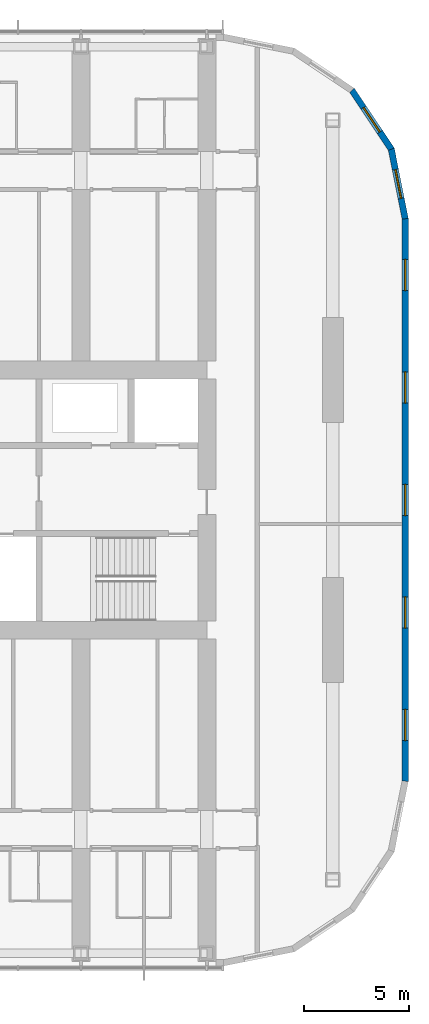
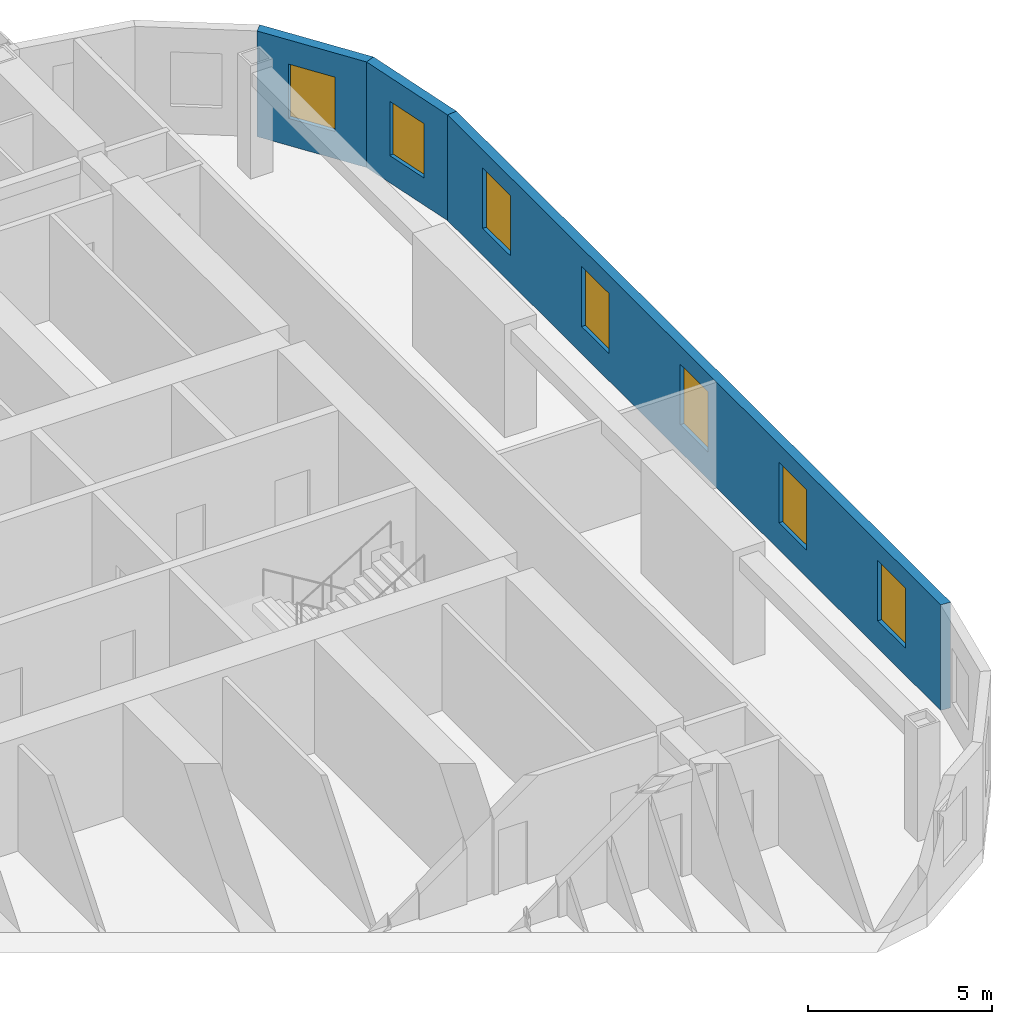
# One storey, part 20 of 27: 7 windows, 3 walls, 7 openings.
"""IFC4 building model written with IfcOpenShell, lengths in metres."""

from ifc_helpers import new_model, si_unit, direction, frame, frame_2d, origin, place, context, subcontext, project, spatial, polyline, rectangle, outline, extrude, material, layer, layer_set, type_object, element, fill, save


model = new_model("IFC4")

# Units and contexts
model_context = context("Model", 3, precision=1e-05, world=origin(), true_north=direction((0.0, 1.0)))
body_context = subcontext(model_context, "Body", "Model", "MODEL_VIEW")
ifc_project = project(units=[si_unit("LENGTHUNIT", "METRE"), si_unit("AREAUNIT", "SQUARE_METRE"), si_unit("VOLUMEUNIT", "CUBIC_METRE"), si_unit("PLANEANGLEUNIT", "RADIAN"), si_unit("MASSUNIT", "GRAM", prefix="KILO")], contexts=[model_context])

# Site, building, storey
site_placement = place(None, origin())
site = spatial("IfcSite", under=ifc_project, at=site_placement, CompositionType="ELEMENT")
building_placement = place(site_placement, origin())
building = spatial("IfcBuilding", under=site, at=building_placement, Name="Orbita Commons", CompositionType="ELEMENT")
storey_placement = place(building_placement, frame((0.0, 0.0, 178.60009765625)))
storey = spatial("IfcBuildingStorey", under=building, at=storey_placement, Name="L44", CompositionType="ELEMENT", Elevation=178.60009765625)

# Wall, openings, windows
ifc_material_1 = material(Name="Precast concrete C40/50, white board-marked finish", Category="concrete")
ifc_layer = layer(ifc_material_1, 0.300048828125)
ifc_layer_set = layer_set([ifc_layer], Name="Precast concrete C40/50, white board-marked finish")
wall_type = type_object("IfcWallType", Name="Precast concrete end shield 300", PredefinedType="SOLIDWALL", material=ifc_layer_set)
wall_1_placement = place(storey_placement, frame((75.449951171875, 18.60009765625, 0.0), z_axis=(0.0, 0.0, 1.0), x_axis=(0.0, 1.0, 0.0)))
wall_1 = element("IfcWall", 1, at=wall_1_placement, inside=storey, type_object=wall_type, Name="End shield E L44", PredefinedType="SOLIDWALL", context=body_context, shape_type="SweptSolid", body=[
    extrude(outline(polyline([(-0.014892578125, -0.14990234375), (26.814697265625, -0.14990234375), (26.784912109375, 0.14990234375), (0.014892578125, 0.14990234375), (-0.014892578125, -0.14990234375)])), origin(), (0.0, 0.0, 1.0), 3.5),
])
opening_1_placement = place(wall_1_placement, frame((1.929931640625, 0.0, 0.89990234375)))
opening_1 = element("IfcOpeningElement", 2, at=opening_1_placement, cuts=wall_1, Name="Opening W01", PredefinedType="OPENING", context=body_context, shape_type="SweptSolid", body=[
    extrude(rectangle(XDim=1.5, YDim=2.0, at=frame_2d((0.75, 1.0))), frame((0.0, 0.159912109375, 0.0), z_axis=(0.0, -1.0, 0.0), x_axis=(1.0, 0.0, 0.0)), (0.0, 0.0, 1.0), 0.320068359375),
])
opening_2_placement = place(wall_1_placement, frame((7.2900390625, 0.0, 0.89990234375)))
opening_2 = element("IfcOpeningElement", 3, at=opening_2_placement, cuts=wall_1, Name="Opening W01", PredefinedType="OPENING", context=body_context, shape_type="SweptSolid", body=[
    extrude(rectangle(XDim=1.5, YDim=2.0, at=frame_2d((0.75, 1.0))), frame((0.0, 0.159912109375, 0.0), z_axis=(0.0, -1.0, 0.0), x_axis=(1.0, 0.0, 0.0)), (0.0, 0.0, 1.0), 0.320068359375),
])
opening_3_placement = place(wall_1_placement, frame((12.64990234375, 0.0, 0.89990234375)))
opening_3 = element("IfcOpeningElement", 4, at=opening_3_placement, cuts=wall_1, Name="Opening W01", PredefinedType="OPENING", context=body_context, shape_type="SweptSolid", body=[
    extrude(rectangle(XDim=1.5, YDim=2.0, at=frame_2d((0.75, 1.0))), frame((0.0, 0.159912109375, 0.0), z_axis=(0.0, -1.0, 0.0), x_axis=(1.0, 0.0, 0.0)), (0.0, 0.0, 1.0), 0.320068359375),
])
opening_4_placement = place(wall_1_placement, frame((18.010009765625, 0.0, 0.89990234375)))
opening_4 = element("IfcOpeningElement", 5, at=opening_4_placement, cuts=wall_1, Name="Opening W01", PredefinedType="OPENING", context=body_context, shape_type="SweptSolid", body=[
    extrude(rectangle(XDim=1.5, YDim=2.0, at=frame_2d((0.75, 1.0))), frame((0.0, 0.159912109375, 0.0), z_axis=(0.0, -1.0, 0.0), x_axis=(1.0, 0.0, 0.0)), (0.0, 0.0, 1.0), 0.320068359375),
])
opening_5_placement = place(wall_1_placement, frame((23.3701171875, 0.0, 0.89990234375)))
opening_5 = element("IfcOpeningElement", 6, at=opening_5_placement, cuts=wall_1, Name="Opening W01", PredefinedType="OPENING", context=body_context, shape_type="SweptSolid", body=[
    extrude(rectangle(XDim=1.5, YDim=2.0, at=frame_2d((0.75, 1.0))), frame((0.0, 0.159912109375, 0.0), z_axis=(0.0, -1.0, 0.0), x_axis=(1.0, 0.0, 0.0)), (0.0, 0.0, 1.0), 0.320068359375),
])
ifc_material_2 = material(Name="Aluminium frame, clear double glazing", Category="aluminium")
window_type_1 = type_object("IfcWindowType", Name="Deep-set window 1500x2000", PartitioningType="SINGLE_PANEL", PredefinedType="WINDOW", material=ifc_material_2)
window_1_placement = place(opening_1_placement, origin())
window_1 = element("IfcWindow", 7, at=window_1_placement, inside=storey, type_object=window_type_1, Name="Window L44-E 1", OverallHeight=2.0, OverallWidth=1.5, PartitioningType="SINGLE_PANEL", PredefinedType="WINDOW", context=body_context, shape_type="SweptSolid", body=[
    extrude(rectangle(XDim=1.5, YDim=2.0, at=frame_2d((0.75, 1.0))), frame((0.0, 0.030029296875, 0.0), z_axis=(0.0, -1.0, 0.0), x_axis=(1.0, 0.0, 0.0)), (0.0, 0.0, 1.0), 0.06005859375),
])
fill(opening_1, window_1)
window_2_placement = place(opening_2_placement, origin())
window_2 = element("IfcWindow", 8, at=window_2_placement, inside=storey, type_object=window_type_1, Name="Window L44-E 2", OverallHeight=2.0, OverallWidth=1.5, PartitioningType="SINGLE_PANEL", PredefinedType="WINDOW", context=body_context, shape_type="SweptSolid", body=[
    extrude(rectangle(XDim=1.5, YDim=2.0, at=frame_2d((0.75, 1.0))), frame((0.0, 0.030029296875, 0.0), z_axis=(0.0, -1.0, 0.0), x_axis=(1.0, 0.0, 0.0)), (0.0, 0.0, 1.0), 0.06005859375),
])
fill(opening_2, window_2)
window_3_placement = place(opening_3_placement, origin())
window_3 = element("IfcWindow", 9, at=window_3_placement, inside=storey, type_object=window_type_1, Name="Window L44-E 3", OverallHeight=2.0, OverallWidth=1.5, PartitioningType="SINGLE_PANEL", PredefinedType="WINDOW", context=body_context, shape_type="SweptSolid", body=[
    extrude(rectangle(XDim=1.5, YDim=2.0, at=frame_2d((0.75, 1.0))), frame((0.0, 0.030029296875, 0.0), z_axis=(0.0, -1.0, 0.0), x_axis=(1.0, 0.0, 0.0)), (0.0, 0.0, 1.0), 0.06005859375),
])
fill(opening_3, window_3)
window_4_placement = place(opening_4_placement, origin())
window_4 = element("IfcWindow", 10, at=window_4_placement, inside=storey, type_object=window_type_1, Name="Window L44-E 4", OverallHeight=2.0, OverallWidth=1.5, PartitioningType="SINGLE_PANEL", PredefinedType="WINDOW", context=body_context, shape_type="SweptSolid", body=[
    extrude(rectangle(XDim=1.5, YDim=2.0, at=frame_2d((0.75, 1.0))), frame((0.0, 0.030029296875, 0.0), z_axis=(0.0, -1.0, 0.0), x_axis=(1.0, 0.0, 0.0)), (0.0, 0.0, 1.0), 0.06005859375),
])
fill(opening_4, window_4)
window_5_placement = place(opening_5_placement, origin())
window_5 = element("IfcWindow", 11, at=window_5_placement, inside=storey, type_object=window_type_1, Name="Window L44-E 5", OverallHeight=2.0, OverallWidth=1.5, PartitioningType="SINGLE_PANEL", PredefinedType="WINDOW", context=body_context, shape_type="SweptSolid", body=[
    extrude(rectangle(XDim=1.5, YDim=2.0, at=frame_2d((0.75, 1.0))), frame((0.0, 0.030029296875, 0.0), z_axis=(0.0, -1.0, 0.0), x_axis=(1.0, 0.0, 0.0)), (0.0, 0.0, 1.0), 0.06005859375),
])
fill(opening_5, window_5)

# Wall, opening, window
wall_2_placement = place(storey_placement, frame((75.449951171875, 45.39990234375, 0.0), z_axis=(0.0, 0.0, 1.0), x_axis=(-0.19508664885, 0.980786011034, 0.0)))
wall_2 = element("IfcWall", 12, at=wall_2_placement, inside=storey, type_object=wall_type, Name="End shield NE chord 1 L44", PredefinedType="SOLIDWALL", context=body_context, shape_type="SweptSolid", body=[
    extrude(outline(polyline([(-0.014892578125, -0.14990234375), (3.405029296875, -0.14990234375), (3.345458984375, 0.14990234375), (0.014892578125, 0.14990234375), (-0.014892578125, -0.14990234375)])), origin(), (0.0, 0.0, 1.0), 3.5),
])
opening_6_placement = place(wall_2_placement, frame((0.987548828125, 0.0, 0.89990234375)))
opening_6 = element("IfcOpeningElement", 13, at=opening_6_placement, cuts=wall_2, Name="Opening W02", PredefinedType="OPENING", context=body_context, shape_type="SweptSolid", body=[
    extrude(rectangle(XDim=1.39990234375, YDim=1.800048828125, at=frame_2d((0.699951171875, 0.89990234375))), frame((0.0, 0.159912109375, 0.0), z_axis=(0.0, -1.0, 0.0), x_axis=(1.0, 0.0, 0.0)), (0.0, 0.0, 1.0), 0.320068359375),
])
ifc_material_3 = material(Name="Aluminium frame, clear double glazing", Category="aluminium")
window_type_2 = type_object("IfcWindowType", Name="Deep-set window 1400x1800", PartitioningType="SINGLE_PANEL", PredefinedType="WINDOW", material=ifc_material_3)
window_6_placement = place(opening_6_placement, origin())
window_6 = element("IfcWindow", 14, at=window_6_placement, inside=storey, type_object=window_type_2, Name="Window L44-NE0", OverallHeight=1.800048828125, OverallWidth=1.39990234375, PartitioningType="SINGLE_PANEL", PredefinedType="WINDOW", context=body_context, shape_type="SweptSolid", body=[
    extrude(rectangle(XDim=1.39990234375, YDim=1.800048828125, at=frame_2d((0.699951171875, 0.89990234375))), frame((0.0, 0.030029296875, 0.0), z_axis=(0.0, -1.0, 0.0), x_axis=(1.0, 0.0, 0.0)), (0.0, 0.0, 1.0), 0.06005859375),
])
fill(opening_6, window_6)

wall_3_placement = place(storey_placement, frame((74.79150390625, 48.710205078125, 0.0), z_axis=(0.0, 0.0, 1.0), x_axis=(-0.555534554399, 0.831493450887, 0.0)))
wall_3 = element("IfcWall", 15, at=wall_3_placement, inside=storey, type_object=wall_type, Name="End shield NE chord 2 L44", PredefinedType="SOLIDWALL", context=body_context, shape_type="SweptSolid", body=[
    extrude(outline(polyline([(-0.02978515625, -0.14990234375), (3.405029296875, -0.14990234375), (3.345458984375, 0.14990234375), (0.02978515625, 0.14990234375), (-0.02978515625, -0.14990234375)])), origin(), (0.0, 0.0, 1.0), 3.5),
])
opening_7_placement = place(wall_3_placement, frame((0.987548828125, 0.0, 0.89990234375)))
opening_7 = element("IfcOpeningElement", 16, at=opening_7_placement, cuts=wall_3, Name="Opening W02", PredefinedType="OPENING", context=body_context, shape_type="SweptSolid", body=[
    extrude(rectangle(XDim=1.39990234375, YDim=1.800048828125, at=frame_2d((0.699951171875, 0.89990234375))), frame((0.0, 0.159912109375, 0.0), z_axis=(0.0, -1.0, 0.0), x_axis=(1.0, 0.0, 0.0)), (0.0, 0.0, 1.0), 0.320068359375),
])
window_7_placement = place(opening_7_placement, origin())
window_7 = element("IfcWindow", 17, at=window_7_placement, inside=storey, type_object=window_type_2, Name="Window L44-NE1", OverallHeight=1.800048828125, OverallWidth=1.39990234375, PartitioningType="SINGLE_PANEL", PredefinedType="WINDOW", context=body_context, shape_type="SweptSolid", body=[
    extrude(rectangle(XDim=1.39990234375, YDim=1.800048828125, at=frame_2d((0.699951171875, 0.89990234375))), frame((0.0, 0.030029296875, 0.0), z_axis=(0.0, -1.0, 0.0), x_axis=(1.0, 0.0, 0.0)), (0.0, 0.0, 1.0), 0.06005859375),
])
fill(opening_7, window_7)

save(model, "model.ifc")
